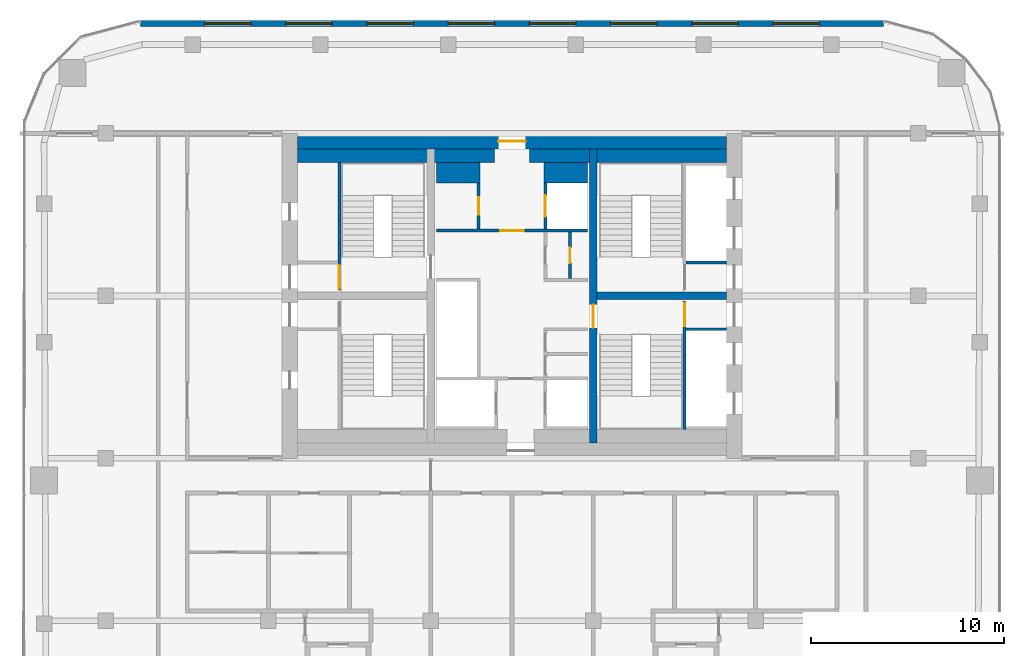
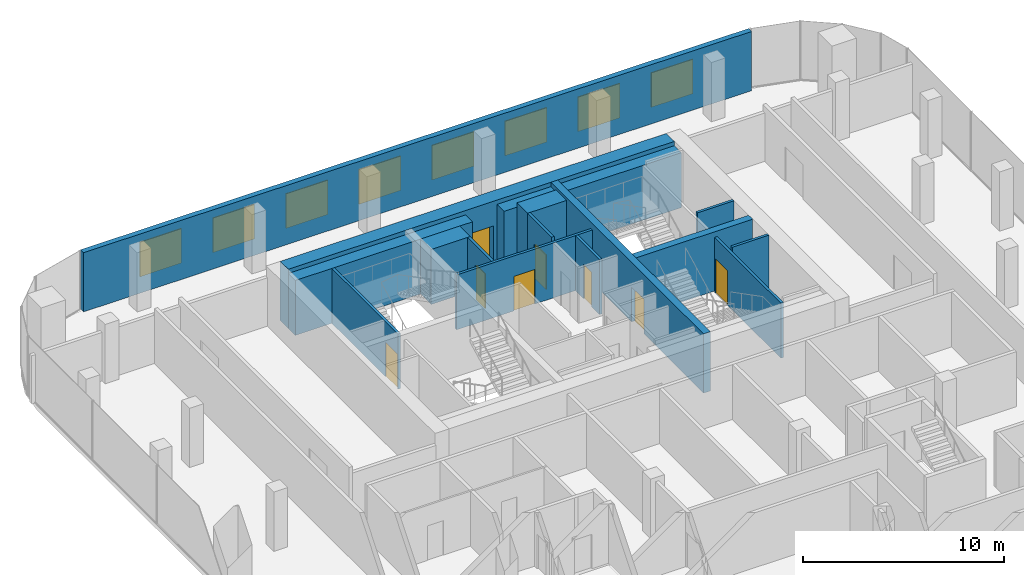
# One storey, part 17 of 20: 16 walls, 8 doors, 8 windows, 16 openings.
"""IFC4 building model written with IfcOpenShell, lengths in metres."""

from ifc_helpers import new_model, si_unit, direction, frame, frame_2d, origin, place, context, subcontext, project, spatial, rectangle, extrude, material, layer, layer_set, type_object, element, fill, save


model = new_model("IFC4")

# Units and contexts
model_context = context("Model", 3, precision=1e-05, world=origin(), true_north=direction((0.0, 1.0)))
body_context = subcontext(model_context, "Body", "Model", "MODEL_VIEW")
ifc_project = project(units=[si_unit("LENGTHUNIT", "METRE"), si_unit("AREAUNIT", "SQUARE_METRE"), si_unit("VOLUMEUNIT", "CUBIC_METRE"), si_unit("PLANEANGLEUNIT", "RADIAN"), si_unit("MASSUNIT", "GRAM", prefix="KILO")], contexts=[model_context])

# Site, building, storey
site_placement = place(None, origin())
site = spatial("IfcSite", under=ifc_project, at=site_placement, CompositionType="ELEMENT")
building_placement = place(site_placement, origin())
building = spatial("IfcBuilding", under=site, at=building_placement, Name="Marenta Gate Hotel Tower", CompositionType="ELEMENT")
storey_placement = place(building_placement, frame((0.0, 0.0, 216.5)))
storey = spatial("IfcBuildingStorey", under=building, at=storey_placement, Name="L50", CompositionType="ELEMENT", Elevation=216.5)

# Wall, openings, windows
ifc_material_1 = material(Name="Concrete C40 board-marked", Category="concrete")
ifc_layer_1 = layer(ifc_material_1, 0.300048828125)
ifc_layer_set_1 = layer_set([ifc_layer_1], Name="Concrete C40 board-marked")
wall_type_1 = type_object("IfcWallType", Name="Board-marked concrete wall 300 mm", PredefinedType="NOTDEFINED", material=ifc_layer_set_1)
wall_1_placement = place(storey_placement, frame((19.205810546875, 22.489990234375, 0.0), z_axis=(0.0, 0.0, 1.0), x_axis=(-1.0, 0.0, 0.0)))
wall_1 = element("IfcWall", 1, at=wall_1_placement, inside=storey, type_object=wall_type_1, Name="L50-CLD-N00", PredefinedType="NOTDEFINED", context=body_context, shape_type="SweptSolid", body=[
    extrude(rectangle(XDim=38.41162109375, YDim=0.300048828125, at=frame_2d((19.205810546875, 0.0))), origin(), (0.0, 0.0, 1.0), 3.60009765625),
])
opening_1_placement = place(wall_1_placement, frame((3.305908203125, 0.0, 0.89990234375)))
opening_1 = element("IfcOpeningElement", 2, at=opening_1_placement, cuts=wall_1, Name="Opening W1", PredefinedType="OPENING", context=body_context, shape_type="SweptSolid", body=[
    extrude(rectangle(XDim=2.39990234375, YDim=2.10009765625, at=frame_2d((1.199951171875, 1.050048828125))), frame((0.0, 0.14990234375, 0.0), z_axis=(0.0, -1.0, 0.0), x_axis=(1.0, 0.0, 0.0)), (0.0, 0.0, 1.0), 0.300048828125),
])
opening_2_placement = place(wall_1_placement, frame((7.505859375, 0.0, 0.89990234375)))
opening_2 = element("IfcOpeningElement", 3, at=opening_2_placement, cuts=wall_1, Name="Opening W1", PredefinedType="OPENING", context=body_context, shape_type="SweptSolid", body=[
    extrude(rectangle(XDim=2.39990234375, YDim=2.10009765625, at=frame_2d((1.199951171875, 1.050048828125))), frame((0.0, 0.14990234375, 0.0), z_axis=(0.0, -1.0, 0.0), x_axis=(1.0, 0.0, 0.0)), (0.0, 0.0, 1.0), 0.300048828125),
])
opening_3_placement = place(wall_1_placement, frame((11.705810546875, 0.0, 0.89990234375)))
opening_3 = element("IfcOpeningElement", 4, at=opening_3_placement, cuts=wall_1, Name="Opening W1", PredefinedType="OPENING", context=body_context, shape_type="SweptSolid", body=[
    extrude(rectangle(XDim=2.39990234375, YDim=2.10009765625, at=frame_2d((1.199951171875, 1.050048828125))), frame((0.0, 0.14990234375, 0.0), z_axis=(0.0, -1.0, 0.0), x_axis=(1.0, 0.0, 0.0)), (0.0, 0.0, 1.0), 0.300048828125),
])
opening_4_placement = place(wall_1_placement, frame((15.906005859375, 0.0, 0.89990234375)))
opening_4 = element("IfcOpeningElement", 5, at=opening_4_placement, cuts=wall_1, Name="Opening W1", PredefinedType="OPENING", context=body_context, shape_type="SweptSolid", body=[
    extrude(rectangle(XDim=2.39990234375, YDim=2.10009765625, at=frame_2d((1.199951171875, 1.050048828125))), frame((0.0, 0.14990234375, 0.0), z_axis=(0.0, -1.0, 0.0), x_axis=(1.0, 0.0, 0.0)), (0.0, 0.0, 1.0), 0.300048828125),
])
opening_5_placement = place(wall_1_placement, frame((20.10595703125, 0.0, 0.89990234375)))
opening_5 = element("IfcOpeningElement", 6, at=opening_5_placement, cuts=wall_1, Name="Opening W1", PredefinedType="OPENING", context=body_context, shape_type="SweptSolid", body=[
    extrude(rectangle(XDim=2.39990234375, YDim=2.10009765625, at=frame_2d((1.199951171875, 1.050048828125))), frame((0.0, 0.14990234375, 0.0), z_axis=(0.0, -1.0, 0.0), x_axis=(1.0, 0.0, 0.0)), (0.0, 0.0, 1.0), 0.300048828125),
])
opening_6_placement = place(wall_1_placement, frame((24.305908203125, 0.0, 0.89990234375)))
opening_6 = element("IfcOpeningElement", 7, at=opening_6_placement, cuts=wall_1, Name="Opening W1", PredefinedType="OPENING", context=body_context, shape_type="SweptSolid", body=[
    extrude(rectangle(XDim=2.39990234375, YDim=2.10009765625, at=frame_2d((1.199951171875, 1.050048828125))), frame((0.0, 0.14990234375, 0.0), z_axis=(0.0, -1.0, 0.0), x_axis=(1.0, 0.0, 0.0)), (0.0, 0.0, 1.0), 0.300048828125),
])
opening_7_placement = place(wall_1_placement, frame((28.505859375, 0.0, 0.89990234375)))
opening_7 = element("IfcOpeningElement", 8, at=opening_7_placement, cuts=wall_1, Name="Opening W1", PredefinedType="OPENING", context=body_context, shape_type="SweptSolid", body=[
    extrude(rectangle(XDim=2.39990234375, YDim=2.10009765625, at=frame_2d((1.199951171875, 1.050048828125))), frame((0.0, 0.14990234375, 0.0), z_axis=(0.0, -1.0, 0.0), x_axis=(1.0, 0.0, 0.0)), (0.0, 0.0, 1.0), 0.300048828125),
])
opening_8_placement = place(wall_1_placement, frame((32.705810546875, 0.0, 0.89990234375)))
opening_8 = element("IfcOpeningElement", 9, at=opening_8_placement, cuts=wall_1, Name="Opening W1", PredefinedType="OPENING", context=body_context, shape_type="SweptSolid", body=[
    extrude(rectangle(XDim=2.39990234375, YDim=2.10009765625, at=frame_2d((1.199951171875, 1.050048828125))), frame((0.0, 0.14990234375, 0.0), z_axis=(0.0, -1.0, 0.0), x_axis=(1.0, 0.0, 0.0)), (0.0, 0.0, 1.0), 0.300048828125),
])
ifc_material_2 = material(Name="Tinted insulated glass in bronze anodised frame", Category="glass")
window_type = type_object("IfcWindowType", Name="Window W1 2400x2100 bronze frame", PartitioningType="SINGLE_PANEL", PredefinedType="WINDOW", material=ifc_material_2)
window_1_placement = place(opening_1_placement, origin())
window_1 = element("IfcWindow", 10, at=window_1_placement, inside=storey, type_object=window_type, Name="Window W1", OverallHeight=2.10009765625, OverallWidth=2.39990234375, PartitioningType="SINGLE_PANEL", PredefinedType="WINDOW", context=body_context, shape_type="SweptSolid", body=[
    extrude(rectangle(XDim=2.39990234375, YDim=2.10009765625, at=frame_2d((1.199951171875, 1.050048828125))), frame((0.0, 0.030029296875, 0.0), z_axis=(0.0, -1.0, 0.0), x_axis=(1.0, 0.0, 0.0)), (0.0, 0.0, 1.0), 0.06005859375),
])
fill(opening_1, window_1)
window_2_placement = place(opening_2_placement, origin())
window_2 = element("IfcWindow", 11, at=window_2_placement, inside=storey, type_object=window_type, Name="Window W1", OverallHeight=2.10009765625, OverallWidth=2.39990234375, PartitioningType="SINGLE_PANEL", PredefinedType="WINDOW", context=body_context, shape_type="SweptSolid", body=[
    extrude(rectangle(XDim=2.39990234375, YDim=2.10009765625, at=frame_2d((1.199951171875, 1.050048828125))), frame((0.0, 0.030029296875, 0.0), z_axis=(0.0, -1.0, 0.0), x_axis=(1.0, 0.0, 0.0)), (0.0, 0.0, 1.0), 0.06005859375),
])
fill(opening_2, window_2)
window_3_placement = place(opening_3_placement, origin())
window_3 = element("IfcWindow", 12, at=window_3_placement, inside=storey, type_object=window_type, Name="Window W1", OverallHeight=2.10009765625, OverallWidth=2.39990234375, PartitioningType="SINGLE_PANEL", PredefinedType="WINDOW", context=body_context, shape_type="SweptSolid", body=[
    extrude(rectangle(XDim=2.39990234375, YDim=2.10009765625, at=frame_2d((1.199951171875, 1.050048828125))), frame((0.0, 0.030029296875, 0.0), z_axis=(0.0, -1.0, 0.0), x_axis=(1.0, 0.0, 0.0)), (0.0, 0.0, 1.0), 0.06005859375),
])
fill(opening_3, window_3)
window_4_placement = place(opening_4_placement, origin())
window_4 = element("IfcWindow", 13, at=window_4_placement, inside=storey, type_object=window_type, Name="Window W1", OverallHeight=2.10009765625, OverallWidth=2.39990234375, PartitioningType="SINGLE_PANEL", PredefinedType="WINDOW", context=body_context, shape_type="SweptSolid", body=[
    extrude(rectangle(XDim=2.39990234375, YDim=2.10009765625, at=frame_2d((1.199951171875, 1.050048828125))), frame((0.0, 0.030029296875, 0.0), z_axis=(0.0, -1.0, 0.0), x_axis=(1.0, 0.0, 0.0)), (0.0, 0.0, 1.0), 0.06005859375),
])
fill(opening_4, window_4)
window_5_placement = place(opening_5_placement, origin())
window_5 = element("IfcWindow", 14, at=window_5_placement, inside=storey, type_object=window_type, Name="Window W1", OverallHeight=2.10009765625, OverallWidth=2.39990234375, PartitioningType="SINGLE_PANEL", PredefinedType="WINDOW", context=body_context, shape_type="SweptSolid", body=[
    extrude(rectangle(XDim=2.39990234375, YDim=2.10009765625, at=frame_2d((1.199951171875, 1.050048828125))), frame((0.0, 0.030029296875, 0.0), z_axis=(0.0, -1.0, 0.0), x_axis=(1.0, 0.0, 0.0)), (0.0, 0.0, 1.0), 0.06005859375),
])
fill(opening_5, window_5)
window_6_placement = place(opening_6_placement, origin())
window_6 = element("IfcWindow", 15, at=window_6_placement, inside=storey, type_object=window_type, Name="Window W1", OverallHeight=2.10009765625, OverallWidth=2.39990234375, PartitioningType="SINGLE_PANEL", PredefinedType="WINDOW", context=body_context, shape_type="SweptSolid", body=[
    extrude(rectangle(XDim=2.39990234375, YDim=2.10009765625, at=frame_2d((1.199951171875, 1.050048828125))), frame((0.0, 0.030029296875, 0.0), z_axis=(0.0, -1.0, 0.0), x_axis=(1.0, 0.0, 0.0)), (0.0, 0.0, 1.0), 0.06005859375),
])
fill(opening_6, window_6)
window_7_placement = place(opening_7_placement, origin())
window_7 = element("IfcWindow", 16, at=window_7_placement, inside=storey, type_object=window_type, Name="Window W1", OverallHeight=2.10009765625, OverallWidth=2.39990234375, PartitioningType="SINGLE_PANEL", PredefinedType="WINDOW", context=body_context, shape_type="SweptSolid", body=[
    extrude(rectangle(XDim=2.39990234375, YDim=2.10009765625, at=frame_2d((1.199951171875, 1.050048828125))), frame((0.0, 0.030029296875, 0.0), z_axis=(0.0, -1.0, 0.0), x_axis=(1.0, 0.0, 0.0)), (0.0, 0.0, 1.0), 0.06005859375),
])
fill(opening_7, window_7)
window_8_placement = place(opening_8_placement, origin())
window_8 = element("IfcWindow", 17, at=window_8_placement, inside=storey, type_object=window_type, Name="Window W1", OverallHeight=2.10009765625, OverallWidth=2.39990234375, PartitioningType="SINGLE_PANEL", PredefinedType="WINDOW", context=body_context, shape_type="SweptSolid", body=[
    extrude(rectangle(XDim=2.39990234375, YDim=2.10009765625, at=frame_2d((1.199951171875, 1.050048828125))), frame((0.0, 0.030029296875, 0.0), z_axis=(0.0, -1.0, 0.0), x_axis=(1.0, 0.0, 0.0)), (0.0, 0.0, 1.0), 0.06005859375),
])
fill(opening_8, window_8)

# Walls
ifc_material_3 = material(Name="Concrete C40", Category="concrete")
ifc_layer_2 = layer(ifc_material_3, 0.699951171875)
ifc_layer_set_2 = layer_set([ifc_layer_2], Name="Concrete C40")
wall_type_2 = type_object("IfcWallType", Name="Core lining wall 700 REI 180", PredefinedType="PARTITIONING", material=ifc_layer_set_2)
for number, where, z_axis, x_axis, name in (
    (18, (-11.10009765625, 15.64990234375, 0.0), (0.0, 0.0, 1.0), (1.0, 0.0, 0.0), "L50-CP-LN-N1"),
    (19, (0.89990234375, 15.64990234375, 0.0), (0.0, 0.0, 1.0), (1.0, 0.0, 0.0), "L50-CP-LN-N2"),
):
    element("IfcWall", number, at=place(storey_placement, frame(where, z_axis=z_axis, x_axis=x_axis)), inside=storey, type_object=wall_type_2, Name=name, PredefinedType="PARTITIONING", context=body_context, shape_type="SweptSolid", body=[
        extrude(rectangle(XDim=10.2001953125, YDim=0.699951171875, at=frame_2d((5.10009765625, 0.0))), origin(), (0.0, 0.0, 1.0), 3.340087890625),
    ])

# Wall, opening, door
ifc_material_4 = material(Name="Concrete blockwork", Category="masonry")
ifc_layer_3 = layer(ifc_material_4, 0.14990234375)
ifc_layer_set_3 = layer_set([ifc_layer_3], Name="Concrete blockwork")
wall_type_3 = type_object("IfcWallType", Name="Core lobby partition 150 REI 180", PredefinedType="PARTITIONING", material=ifc_layer_set_3)
wall_2_placement = place(storey_placement, frame((-3.89990234375, 11.77490234375, 0.0), z_axis=(0.0, 0.0, 1.0), x_axis=(1.0, 0.0, 0.0)))
wall_2 = element("IfcWall", 20, at=wall_2_placement, inside=storey, type_object=wall_type_3, Name="L50-CP-CW-N", PredefinedType="PARTITIONING", context=body_context, shape_type="SweptSolid", body=[
    extrude(rectangle(XDim=7.7998046875, YDim=0.14990234375, at=frame_2d((3.89990234375, 0.0))), origin(), (0.0, 0.0, 1.0), 3.340087890625),
])
opening_9_placement = place(wall_2_placement, frame((3.300048828125, 0.0, 0.0)))
opening_9 = element("IfcOpeningElement", 21, at=opening_9_placement, cuts=wall_2, Name="Opening FD-FFN", PredefinedType="OPENING", context=body_context, shape_type="SweptSolid", body=[
    extrude(rectangle(XDim=1.199951171875, YDim=2.10009765625, at=frame_2d((0.60009765625, 1.050048828125))), frame((0.0, 0.074951171875, 0.0), z_axis=(0.0, -1.0, 0.0), x_axis=(1.0, 0.0, 0.0)), (0.0, 0.0, 1.0), 0.14990234375),
])
ifc_material_5 = material(Name="Steel", Category="steel")
door_type_1 = type_object("IfcDoorType", Name="Core lobby door 1200x2100 FD60", OperationType="SINGLE_SWING_LEFT", PredefinedType="DOOR", material=ifc_material_5)
door_1_placement = place(opening_9_placement, origin())
door_1 = element("IfcDoor", 22, at=door_1_placement, inside=storey, type_object=door_type_1, Name="FD-FFN", OperationType="SINGLE_SWING_LEFT", OverallHeight=2.10009765625, OverallWidth=1.199951171875, PredefinedType="DOOR", context=body_context, shape_type="SweptSolid", body=[
    extrude(rectangle(XDim=1.199951171875, YDim=2.10009765625, at=frame_2d((0.60009765625, 1.050048828125))), frame((0.0, 0.02490234375, 0.0), z_axis=(0.0, -1.0, 0.0), x_axis=(1.0, 0.0, 0.0)), (0.0, 0.0, 1.0), 0.050048828125),
])
fill(opening_9, door_1)

# Wall
ifc_material_6 = material(Name="Concrete blockwork", Category="masonry")
ifc_layer_4 = layer(ifc_material_6, 1.050048828125)
ifc_layer_set_4 = layer_set([ifc_layer_4], Name="Concrete blockwork")
wall_type_4 = type_object("IfcWallType", Name="Core room partition 1050 REI 180", PredefinedType="PARTITIONING", material=ifc_layer_set_4)
wall_3_placement = place(storey_placement, frame((-3.89990234375, 14.77490234375, 0.0), z_axis=(0.0, 0.0, 1.0), x_axis=(1.0, 0.0, 0.0)))
element("IfcWall", 23, at=wall_3_placement, inside=storey, type_object=wall_type_4, Name="L50-CP-CW-W-riser-N", PredefinedType="PARTITIONING", context=body_context, shape_type="SweptSolid", body=[
    extrude(rectangle(XDim=2.25, YDim=1.050048828125, at=frame_2d((1.125, 0.0))), origin(), (0.0, 0.0, 1.0), 3.340087890625),
])

# Wall, opening, door
ifc_material_7 = material(Name="Concrete blockwork", Category="masonry")
ifc_layer_5 = layer(ifc_material_7, 0.14990234375)
ifc_layer_set_5 = layer_set([ifc_layer_5], Name="Concrete blockwork")
wall_type_5 = type_object("IfcWallType", Name="Core room partition 150 REI 180", PredefinedType="PARTITIONING", material=ifc_layer_set_5)
wall_4_placement = place(storey_placement, frame((-1.72509765625, 11.85009765625, 0.0), z_axis=(0.0, 0.0, 1.0), x_axis=(0.0, 1.0, 0.0)))
wall_4 = element("IfcWall", 24, at=wall_4_placement, inside=storey, type_object=wall_type_5, Name="L50-CP-CW-W-riser-front", PredefinedType="PARTITIONING", context=body_context, shape_type="SweptSolid", body=[
    extrude(rectangle(XDim=2.39990234375, YDim=0.14990234375, at=frame_2d((1.199951171875, 0.0))), origin(), (0.0, 0.0, 1.0), 3.340087890625),
])
opening_10_placement = place(wall_4_placement, frame((0.75, 0.0, 0.0)))
opening_10 = element("IfcOpeningElement", 25, at=opening_10_placement, cuts=wall_4, Name="Opening RD-CRISER", PredefinedType="OPENING", context=body_context, shape_type="SweptSolid", body=[
    extrude(rectangle(XDim=0.89990234375, YDim=2.10009765625, at=frame_2d((0.449951171875, 1.050048828125))), frame((0.0, 0.074951171875, 0.0), z_axis=(0.0, -1.0, 0.0), x_axis=(1.0, 0.0, 0.0)), (0.0, 0.0, 1.0), 0.14990234375),
])
ifc_material_8 = material(Name="Steel", Category="steel")
door_type_2 = type_object("IfcDoorType", Name="Core riser door 900x2100 FD60", OperationType="SINGLE_SWING_LEFT", PredefinedType="DOOR", material=ifc_material_8)
door_2_placement = place(opening_10_placement, origin())
door_2 = element("IfcDoor", 26, at=door_2_placement, inside=storey, type_object=door_type_2, Name="RD-CRISER", OperationType="SINGLE_SWING_LEFT", OverallHeight=2.10009765625, OverallWidth=0.89990234375, PredefinedType="DOOR", context=body_context, shape_type="SweptSolid", body=[
    extrude(rectangle(XDim=0.89990234375, YDim=2.10009765625, at=frame_2d((0.449951171875, 1.050048828125))), frame((0.0, 0.02490234375, 0.0), z_axis=(0.0, -1.0, 0.0), x_axis=(1.0, 0.0, 0.0)), (0.0, 0.0, 1.0), 0.050048828125),
])
fill(opening_10, door_2)

wall_5_placement = place(storey_placement, frame((3.0, 9.300048828125, 0.0), z_axis=(0.0, 0.0, 1.0), x_axis=(0.0, 1.0, 0.0)))
wall_5 = element("IfcWall", 27, at=wall_5_placement, inside=storey, type_object=wall_type_5, Name="L50-CP-CE-RW-2", PredefinedType="PARTITIONING", context=body_context, shape_type="SweptSolid", body=[
    extrude(rectangle(XDim=2.39990234375, YDim=0.14990234375, at=frame_2d((1.199951171875, 0.0))), origin(), (0.0, 0.0, 1.0), 3.340087890625),
])
opening_11_placement = place(wall_5_placement, frame((0.800048828125, 0.0, 0.0)))
opening_11 = element("IfcOpeningElement", 28, at=opening_11_placement, cuts=wall_5, Name="Opening RD-CE-2b-A", PredefinedType="OPENING", context=body_context, shape_type="SweptSolid", body=[
    extrude(rectangle(XDim=0.800048828125, YDim=2.10009765625, at=frame_2d((0.39990234375, 1.050048828125))), frame((0.0, 0.074951171875, 0.0), z_axis=(0.0, -1.0, 0.0), x_axis=(1.0, 0.0, 0.0)), (0.0, 0.0, 1.0), 0.14990234375),
])
ifc_material_9 = material(Name="Steel", Category="steel")
door_type_3 = type_object("IfcDoorType", Name="Core riser door 800x2100 FD60", OperationType="SINGLE_SWING_LEFT", PredefinedType="DOOR", material=ifc_material_9)
door_3_placement = place(opening_11_placement, origin())
door_3 = element("IfcDoor", 29, at=door_3_placement, inside=storey, type_object=door_type_3, Name="RD-CE-2b-A", OperationType="SINGLE_SWING_LEFT", OverallHeight=2.10009765625, OverallWidth=0.800048828125, PredefinedType="DOOR", context=body_context, shape_type="SweptSolid", body=[
    extrude(rectangle(XDim=0.800048828125, YDim=2.10009765625, at=frame_2d((0.39990234375, 1.050048828125))), frame((0.0, 0.02490234375, 0.0), z_axis=(0.0, -1.0, 0.0), x_axis=(1.0, 0.0, 0.0)), (0.0, 0.0, 1.0), 0.050048828125),
])
fill(opening_11, door_3)

# Walls
ifc_material_10 = material(Name="Concrete C40", Category="concrete")
ifc_layer_6 = layer(ifc_material_10, 1.050048828125)
ifc_layer_set_6 = layer_set([ifc_layer_6], Name="Concrete C40")
wall_type_6 = type_object("IfcWallType", Name="Core shaft wall 1050 REI 180", PredefinedType="SHEAR", material=ifc_layer_set_6)
wall_6_placement = place(storey_placement, frame((1.64990234375, 14.77490234375, 0.0), z_axis=(0.0, 0.0, 1.0), x_axis=(1.0, 0.0, 0.0)))
element("IfcWall", 30, at=wall_6_placement, inside=storey, type_object=wall_type_6, Name="L50-SHF-CE-N-top", PredefinedType="SHEAR", context=body_context, shape_type="SweptSolid", body=[
    extrude(rectangle(XDim=2.25, YDim=1.050048828125, at=frame_2d((1.125, 0.0))), origin(), (0.0, 0.0, 1.0), 3.60009765625),
])
ifc_material_11 = material(Name="Concrete C40", Category="concrete")
ifc_layer_7 = layer(ifc_material_11, 0.14990234375)
ifc_layer_set_7 = layer_set([ifc_layer_7], Name="Concrete C40")
wall_type_7 = type_object("IfcWallType", Name="Core shaft wall 150 REI 180", PredefinedType="SHEAR", material=ifc_layer_set_7)
for number, where, z_axis, x_axis, name in (
    (31, (9.0, 6.675048828125, 0.0), (0.0, 0.0, 1.0), (1.0, 0.0, 0.0), "L50-SHF-SW-ES-2"),
    (32, (9.0, 10.125, 0.0), (0.0, 0.0, 1.0), (1.0, 0.0, 0.0), "L50-SHF-SW-EN-2"),
):
    element("IfcWall", number, at=place(storey_placement, frame(where, z_axis=z_axis, x_axis=x_axis)), inside=storey, type_object=wall_type_7, Name=name, PredefinedType="SHEAR", context=body_context, shape_type="SweptSolid", body=[
        extrude(rectangle(XDim=2.10009765625, YDim=0.14990234375, at=frame_2d((1.050048828125, 0.0))), origin(), (0.0, 0.0, 1.0), 3.60009765625),
    ])

# Wall, opening, door
wall_7_placement = place(storey_placement, frame((1.72509765625, 11.85009765625, 0.0), z_axis=(0.0, 0.0, 1.0), x_axis=(0.0, 1.0, 0.0)))
wall_7 = element("IfcWall", 33, at=wall_7_placement, inside=storey, type_object=wall_type_7, Name="L50-SHF-CE-N-front2", PredefinedType="SHEAR", context=body_context, shape_type="SweptSolid", body=[
    extrude(rectangle(XDim=2.39990234375, YDim=0.14990234375, at=frame_2d((1.199951171875, 0.0))), origin(), (0.0, 0.0, 1.0), 3.60009765625),
])
opening_12_placement = place(wall_7_placement, frame((0.64990234375, 0.0, 0.0)))
opening_12 = element("IfcOpeningElement", 34, at=opening_12_placement, cuts=wall_7, Name="Opening LD-FF2", PredefinedType="OPENING", context=body_context, shape_type="SweptSolid", body=[
    extrude(rectangle(XDim=1.10009765625, YDim=2.10009765625, at=frame_2d((0.550048828125, 1.050048828125))), frame((0.0, 0.074951171875, 0.0), z_axis=(0.0, -1.0, 0.0), x_axis=(1.0, 0.0, 0.0)), (0.0, 0.0, 1.0), 0.14990234375),
])
ifc_material_12 = material(Name="Steel", Category="steel")
door_type_4 = type_object("IfcDoorType", Name="Core lift landing door 1100x2100 E 60", OperationType="SLIDING_TO_LEFT", PredefinedType="DOOR", material=ifc_material_12)
door_4_placement = place(opening_12_placement, origin())
door_4 = element("IfcDoor", 35, at=door_4_placement, inside=storey, type_object=door_type_4, Name="LD-FF2", OperationType="SLIDING_TO_LEFT", OverallHeight=2.10009765625, OverallWidth=1.10009765625, PredefinedType="DOOR", context=body_context, shape_type="SweptSolid", body=[
    extrude(rectangle(XDim=1.10009765625, YDim=2.10009765625, at=frame_2d((0.550048828125, 1.050048828125))), frame((0.0, 0.02490234375, 0.0), z_axis=(0.0, -1.0, 0.0), x_axis=(1.0, 0.0, 0.0)), (0.0, 0.0, 1.0), 0.050048828125),
])
fill(opening_12, door_4)

ifc_material_13 = material(Name="Concrete C40", Category="concrete")
ifc_layer_8 = layer(ifc_material_13, 0.14990234375)
ifc_layer_set_8 = layer_set([ifc_layer_8], Name="Concrete C40")
wall_type_8 = type_object("IfcWallType", Name="Core stair enclosure wall 150 REI 180", PredefinedType="SHEAR", material=ifc_layer_set_8)
wall_8_placement = place(storey_placement, frame((-8.925048828125, 8.699951171875, 0.0), z_axis=(0.0, 0.0, 1.0), x_axis=(0.0, 1.0, 0.0)))
wall_8 = element("IfcWall", 36, at=wall_8_placement, inside=storey, type_object=wall_type_8, Name="L50-SHF-SW-WN-3", PredefinedType="SHEAR", context=body_context, shape_type="SweptSolid", body=[
    extrude(rectangle(XDim=6.60009765625, YDim=0.14990234375, at=frame_2d((3.300048828125, 0.0))), origin(), (0.0, 0.0, 1.0), 3.340087890625),
])
opening_13_placement = place(wall_8_placement, frame((0.074951171875, 0.0, 0.0)))
opening_13 = element("IfcOpeningElement", 37, at=opening_13_placement, cuts=wall_8, Name="Opening SD-WN", PredefinedType="OPENING", context=body_context, shape_type="SweptSolid", body=[
    extrude(rectangle(XDim=1.199951171875, YDim=2.10009765625, at=frame_2d((0.60009765625, 1.050048828125))), frame((0.0, 0.074951171875, 0.0), z_axis=(0.0, -1.0, 0.0), x_axis=(1.0, 0.0, 0.0)), (0.0, 0.0, 1.0), 0.14990234375),
])
ifc_material_14 = material(Name="Steel", Category="steel")
door_type_5 = type_object("IfcDoorType", Name="Core stair door 1200x2100 FD60", OperationType="SINGLE_SWING_LEFT", PredefinedType="DOOR", material=ifc_material_14)
door_5_placement = place(opening_13_placement, origin())
door_5 = element("IfcDoor", 38, at=door_5_placement, inside=storey, type_object=door_type_5, Name="SD-WN", OperationType="SINGLE_SWING_LEFT", OverallHeight=2.10009765625, OverallWidth=1.199951171875, PredefinedType="DOOR", context=body_context, shape_type="SweptSolid", body=[
    extrude(rectangle(XDim=1.199951171875, YDim=2.10009765625, at=frame_2d((0.60009765625, 1.050048828125))), frame((0.0, 0.02490234375, 0.0), z_axis=(0.0, -1.0, 0.0), x_axis=(1.0, 0.0, 0.0)), (0.0, 0.0, 1.0), 0.050048828125),
])
fill(opening_13, door_5)

wall_9_placement = place(storey_placement, frame((8.925048828125, 1.5, 0.0), z_axis=(0.0, 0.0, 1.0), x_axis=(0.0, 1.0, 0.0)))
wall_9 = element("IfcWall", 39, at=wall_9_placement, inside=storey, type_object=wall_type_8, Name="L50-SHF-SW-ES-3", PredefinedType="SHEAR", context=body_context, shape_type="SweptSolid", body=[
    extrude(rectangle(XDim=6.60009765625, YDim=0.14990234375, at=frame_2d((3.300048828125, 0.0))), origin(), (0.0, 0.0, 1.0), 3.340087890625),
])
opening_14_placement = place(wall_9_placement, frame((5.324951171875, 0.0, 0.0)))
opening_14 = element("IfcOpeningElement", 40, at=opening_14_placement, cuts=wall_9, Name="Opening SD-ES", PredefinedType="OPENING", context=body_context, shape_type="SweptSolid", body=[
    extrude(rectangle(XDim=1.199951171875, YDim=2.10009765625, at=frame_2d((0.60009765625, 1.050048828125))), frame((0.0, 0.074951171875, 0.0), z_axis=(0.0, -1.0, 0.0), x_axis=(1.0, 0.0, 0.0)), (0.0, 0.0, 1.0), 0.14990234375),
])
door_6_placement = place(opening_14_placement, origin())
door_6 = element("IfcDoor", 41, at=door_6_placement, inside=storey, type_object=door_type_5, Name="SD-ES", OperationType="SINGLE_SWING_LEFT", OverallHeight=2.10009765625, OverallWidth=1.199951171875, PredefinedType="DOOR", context=body_context, shape_type="SweptSolid", body=[
    extrude(rectangle(XDim=1.199951171875, YDim=2.10009765625, at=frame_2d((0.60009765625, 1.050048828125))), frame((0.0, 0.02490234375, 0.0), z_axis=(0.0, -1.0, 0.0), x_axis=(1.0, 0.0, 0.0)), (0.0, 0.0, 1.0), 0.050048828125),
])
fill(opening_14, door_6)

ifc_material_15 = material(Name="Concrete C60", Category="concrete")
ifc_layer_9 = layer(ifc_material_15, 0.800048828125)
ifc_layer_set_9 = layer_set([ifc_layer_9], Name="Concrete C60")
wall_type_9 = type_object("IfcWallType", Name="Core wall 800 C60", PredefinedType="SHEAR", material=ifc_layer_set_9)
wall_10_placement = place(storey_placement, frame((-11.10009765625, 16.39990234375, 0.0), z_axis=(0.0, 0.0, 1.0), x_axis=(1.0, 0.0, 0.0)))
wall_10 = element("IfcWall", 42, at=wall_10_placement, inside=storey, type_object=wall_type_9, Name="L50-CORE-N", PredefinedType="SHEAR", context=body_context, shape_type="SweptSolid", body=[
    extrude(rectangle(XDim=22.2001953125, YDim=0.800048828125, at=frame_2d((11.10009765625, 0.0))), origin(), (0.0, 0.0, 1.0), 3.60009765625),
])
opening_15_placement = place(wall_10_placement, frame((10.39990234375, 0.0, 0.0)))
opening_15 = element("IfcOpeningElement", 43, at=opening_15_placement, cuts=wall_10, Name="Opening RFD-N", PredefinedType="OPENING", context=body_context, shape_type="SweptSolid", body=[
    extrude(rectangle(XDim=1.39990234375, YDim=2.10009765625, at=frame_2d((0.699951171875, 1.050048828125))), frame((0.0, 0.39990234375, 0.0), z_axis=(0.0, -1.0, 0.0), x_axis=(1.0, 0.0, 0.0)), (0.0, 0.0, 1.0), 0.800048828125),
])
ifc_material_16 = material(Name="Steel", Category="steel")
door_type_6 = type_object("IfcDoorType", Name="Core lobby door 1400x2100 FD60", OperationType="SINGLE_SWING_LEFT", PredefinedType="DOOR", material=ifc_material_16)
door_7_placement = place(opening_15_placement, origin())
door_7 = element("IfcDoor", 44, at=door_7_placement, inside=storey, type_object=door_type_6, Name="RFD-N", OperationType="SINGLE_SWING_LEFT", OverallHeight=2.10009765625, OverallWidth=1.39990234375, PredefinedType="DOOR", context=body_context, shape_type="SweptSolid", body=[
    extrude(rectangle(XDim=1.39990234375, YDim=2.10009765625, at=frame_2d((0.699951171875, 1.050048828125))), frame((0.0, 0.02490234375, 0.0), z_axis=(0.0, -1.0, 0.0), x_axis=(1.0, 0.0, 0.0)), (0.0, 0.0, 1.0), 0.050048828125),
])
fill(opening_15, door_7)

ifc_material_17 = material(Name="Concrete C60", Category="concrete")
ifc_layer_10 = layer(ifc_material_17, 0.39990234375)
ifc_layer_set_10 = layer_set([ifc_layer_10], Name="Concrete C60")
wall_type_10 = type_object("IfcWallType", Name="Core web 400 C60", PredefinedType="SHEAR", material=ifc_layer_set_10)
wall_11_placement = place(storey_placement, frame((4.199951171875, 0.800048828125, 0.0), z_axis=(0.0, 0.0, 1.0), x_axis=(0.0, 1.0, 0.0)))
wall_11 = element("IfcWall", 45, at=wall_11_placement, inside=storey, type_object=wall_type_10, Name="L50-CORE-W2", PredefinedType="SHEAR", context=body_context, shape_type="SweptSolid", body=[
    extrude(rectangle(XDim=15.199951171875, YDim=0.39990234375, at=frame_2d((7.60009765625, 0.0))), origin(), (0.0, 0.0, 1.0), 3.60009765625),
])
opening_16_placement = place(wall_11_placement, frame((5.949951171875, 0.0, 0.0)))
opening_16 = element("IfcOpeningElement", 46, at=opening_16_placement, cuts=wall_11, Name="Opening WD-E", PredefinedType="OPENING", context=body_context, shape_type="SweptSolid", body=[
    extrude(rectangle(XDim=1.199951171875, YDim=2.10009765625, at=frame_2d((0.60009765625, 1.050048828125))), frame((0.0, 0.199951171875, 0.0), z_axis=(0.0, -1.0, 0.0), x_axis=(1.0, 0.0, 0.0)), (0.0, 0.0, 1.0), 0.39990234375),
])
door_8_placement = place(opening_16_placement, origin())
door_8 = element("IfcDoor", 47, at=door_8_placement, inside=storey, type_object=door_type_5, Name="WD-E", OperationType="SINGLE_SWING_LEFT", OverallHeight=2.10009765625, OverallWidth=1.199951171875, PredefinedType="DOOR", context=body_context, shape_type="SweptSolid", body=[
    extrude(rectangle(XDim=1.199951171875, YDim=2.10009765625, at=frame_2d((0.60009765625, 1.050048828125))), frame((0.0, 0.02490234375, 0.0), z_axis=(0.0, -1.0, 0.0), x_axis=(1.0, 0.0, 0.0)), (0.0, 0.0, 1.0), 0.050048828125),
])
fill(opening_16, door_8)

# Wall
wall_12_placement = place(storey_placement, frame((4.39990234375, 8.39990234375, 0.0), z_axis=(0.0, 0.0, 1.0), x_axis=(1.0, 0.0, 0.0)))
element("IfcWall", 48, at=wall_12_placement, inside=storey, type_object=wall_type_10, Name="L50-CORE-W4", PredefinedType="SHEAR", context=body_context, shape_type="SweptSolid", body=[
    extrude(rectangle(XDim=6.7001953125, YDim=0.39990234375, at=frame_2d((3.35009765625, 0.0))), origin(), (0.0, 0.0, 1.0), 3.60009765625),
])

save(model, "model.ifc")
